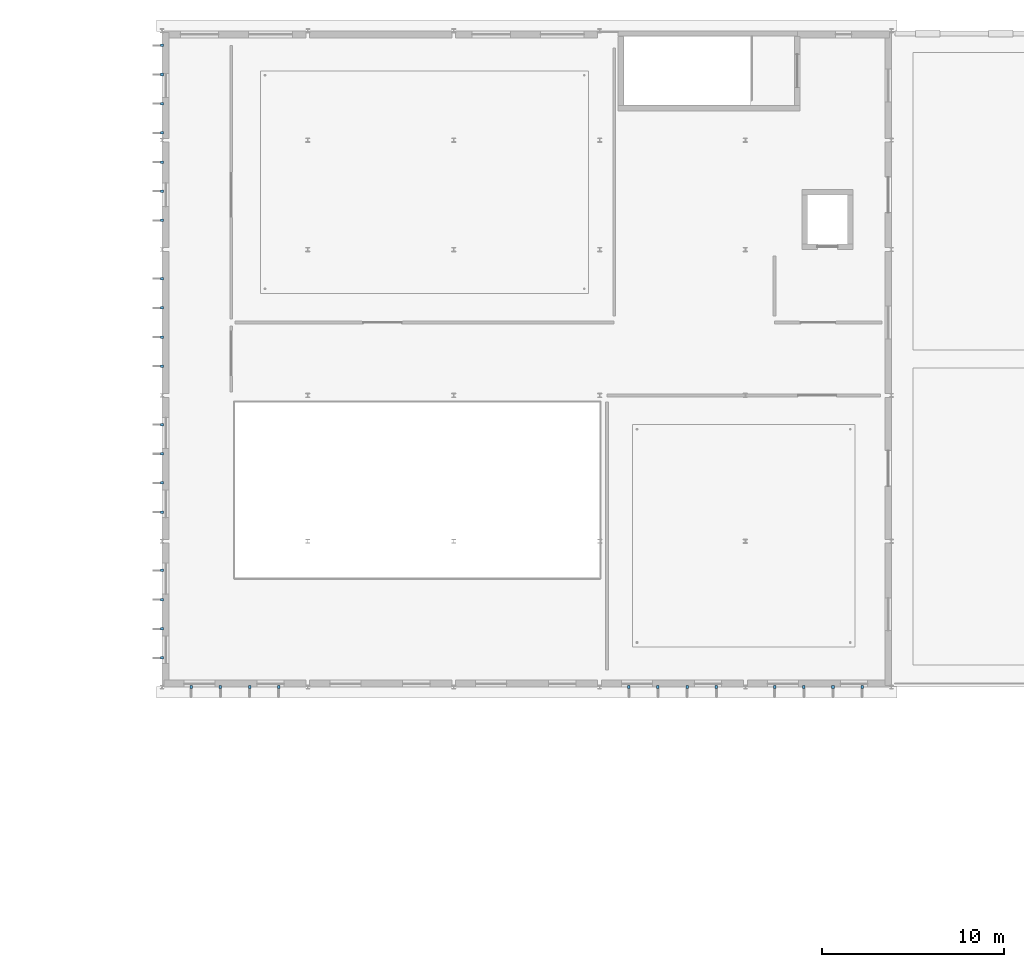
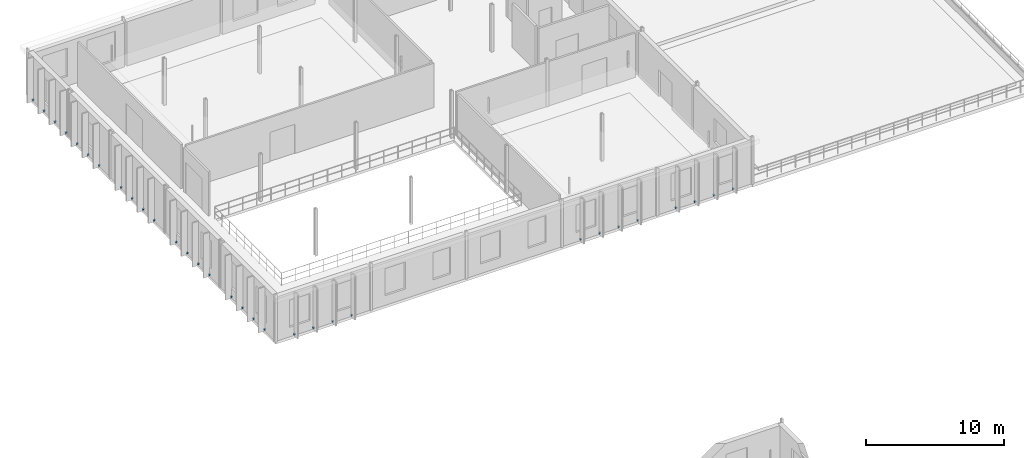
# One storey, part 56 of 67: 31 discrete accessories.
"""IFC4 building model written with IfcOpenShell, lengths in metres."""

from ifc_helpers import new_model, si_unit, direction, frame, origin, origin_2d, place, context, subcontext, project, spatial, rectangle, extrude, material, type_object, element, save


model = new_model("IFC4")

# Units and contexts
model_context = context("Model", 3, precision=1e-05, world=origin(), true_north=direction((0.0, 1.0)))
body_context = subcontext(model_context, "Body", "Model", "MODEL_VIEW")
ifc_project = project(units=[si_unit("LENGTHUNIT", "METRE"), si_unit("AREAUNIT", "SQUARE_METRE"), si_unit("VOLUMEUNIT", "CUBIC_METRE"), si_unit("PLANEANGLEUNIT", "RADIAN"), si_unit("MASSUNIT", "GRAM", prefix="KILO")], contexts=[model_context])

# Site, building, storey
site_placement = place(None, origin())
site = spatial("IfcSite", under=ifc_project, at=site_placement, CompositionType="ELEMENT")
building_placement = place(site_placement, origin())
building = spatial("IfcBuilding", under=site, at=building_placement, Name="Sundkrona Museum", CompositionType="ELEMENT")
storey_placement = place(building_placement, frame((0.0, 0.0, 21.800048828125)))
storey = spatial("IfcBuildingStorey", under=building, at=storey_placement, Name="L04", CompositionType="ELEMENT", Elevation=21.800048828125)

# Discrete accessories
ifc_material = material(Name="Stainless Steel EN 1.4404 Cleat", Category="steel")
discrete_accessory_type = type_object("IfcDiscreteAccessoryType", Name="BRK-FIN-01", PredefinedType="BRACKET", material=ifc_material)
for number, where, z_axis, x_axis, name in (
    (1, (17.60009765625, 78.0, 0.059814453125), (0.0, 0.0, 1.0), (1.0, 0.0, 0.0), "L04 Fin Bracket S-133"),
    (2, (19.199951171875, 78.0, 0.059814453125), (0.0, 0.0, 1.0), (1.0, 0.0, 0.0), "L04 Fin Bracket S-134"),
    (3, (20.800048828125, 78.0, 0.059814453125), (0.0, 0.0, 1.0), (1.0, 0.0, 0.0), "L04 Fin Bracket S-135"),
    (4, (22.39990234375, 78.0, 0.059814453125), (0.0, 0.0, 1.0), (1.0, 0.0, 0.0), "L04 Fin Bracket S-136"),
    (5, (41.60009765625, 78.0, 0.059814453125), (0.0, 0.0, 1.0), (1.0, 0.0, 0.0), "L04 Fin Bracket S-137"),
    (6, (43.199951171875, 78.0, 0.059814453125), (0.0, 0.0, 1.0), (1.0, 0.0, 0.0), "L04 Fin Bracket S-138"),
    (7, (44.800048828125, 78.0, 0.059814453125), (0.0, 0.0, 1.0), (1.0, 0.0, 0.0), "L04 Fin Bracket S-139"),
    (8, (46.39990234375, 78.0, 0.059814453125), (0.0, 0.0, 1.0), (1.0, 0.0, 0.0), "L04 Fin Bracket S-140"),
    (9, (49.60009765625, 78.0, 0.059814453125), (0.0, 0.0, 1.0), (1.0, 0.0, 0.0), "L04 Fin Bracket S-141"),
    (10, (51.199951171875, 78.0, 0.059814453125), (0.0, 0.0, 1.0), (1.0, 0.0, 0.0), "L04 Fin Bracket S-142"),
    (11, (52.800048828125, 78.0, 0.059814453125), (0.0, 0.0, 1.0), (1.0, 0.0, 0.0), "L04 Fin Bracket S-143"),
    (12, (54.39990234375, 78.0, 0.059814453125), (0.0, 0.0, 1.0), (1.0, 0.0, 0.0), "L04 Fin Bracket S-144"),
):
    element("IfcDiscreteAccessory", number, at=place(storey_placement, frame(where, z_axis=z_axis, x_axis=x_axis)), inside=storey, type_object=discrete_accessory_type, Name=name, PredefinedType="BRACKET", context=body_context, shape_type="SweptSolid", body=[
        extrude(rectangle(XDim=0.139892578125, YDim=0.159912109375, at=origin_2d()), origin(), (0.0, 0.0, 1.0), 0.1201171875),
    ])
for number, where, z_axis, x_axis, name in (
    (13, (16.0, 79.60009765625, 0.059814453125), (0.0, 0.0, 1.0), (1.0, 0.0, 0.0), "L04 Fin Bracket W-237"),
    (14, (16.0, 81.199951171875, 0.059814453125), (0.0, 0.0, 1.0), (1.0, 0.0, 0.0), "L04 Fin Bracket W-238"),
    (15, (16.0, 82.800048828125, 0.059814453125), (0.0, 0.0, 1.0), (1.0, 0.0, 0.0), "L04 Fin Bracket W-239"),
    (16, (16.0, 84.39990234375, 0.059814453125), (0.0, 0.0, 1.0), (1.0, 0.0, 0.0), "L04 Fin Bracket W-240"),
    (17, (16.0, 87.60009765625, 0.059814453125), (0.0, 0.0, 1.0), (1.0, 0.0, 0.0), "L04 Fin Bracket W-241"),
    (18, (16.0, 89.199951171875, 0.059814453125), (0.0, 0.0, 1.0), (1.0, 0.0, 0.0), "L04 Fin Bracket W-242"),
    (19, (16.0, 90.800048828125, 0.059814453125), (0.0, 0.0, 1.0), (1.0, 0.0, 0.0), "L04 Fin Bracket W-243"),
    (20, (16.0, 92.39990234375, 0.059814453125), (0.0, 0.0, 1.0), (1.0, 0.0, 0.0), "L04 Fin Bracket W-244"),
    (21, (16.0, 95.60009765625, 0.059814453125), (0.0, 0.0, 1.0), (1.0, 0.0, 0.0), "L04 Fin Bracket W-245"),
    (22, (16.0, 97.199951171875, 0.059814453125), (0.0, 0.0, 1.0), (1.0, 0.0, 0.0), "L04 Fin Bracket W-246"),
    (23, (16.0, 98.800048828125, 0.059814453125), (0.0, 0.0, 1.0), (1.0, 0.0, 0.0), "L04 Fin Bracket W-247"),
    (24, (16.0, 100.39990234375, 0.059814453125), (0.0, 0.0, 1.0), (1.0, 0.0, 0.0), "L04 Fin Bracket W-248"),
    (25, (16.0, 103.60009765625, 0.059814453125), (0.0, 0.0, 1.0), (1.0, 0.0, 0.0), "L04 Fin Bracket W-249"),
    (26, (16.0, 105.199951171875, 0.059814453125), (0.0, 0.0, 1.0), (1.0, 0.0, 0.0), "L04 Fin Bracket W-250"),
    (27, (16.0, 106.800048828125, 0.059814453125), (0.0, 0.0, 1.0), (1.0, 0.0, 0.0), "L04 Fin Bracket W-251"),
    (28, (16.0, 108.39990234375, 0.059814453125), (0.0, 0.0, 1.0), (1.0, 0.0, 0.0), "L04 Fin Bracket W-252"),
    (29, (16.0, 110.0, 0.059814453125), (0.0, 0.0, 1.0), (1.0, 0.0, 0.0), "L04 Fin Bracket W-253"),
    (30, (16.0, 111.60009765625, 0.059814453125), (0.0, 0.0, 1.0), (1.0, 0.0, 0.0), "L04 Fin Bracket W-254"),
    (31, (16.0, 113.199951171875, 0.059814453125), (0.0, 0.0, 1.0), (1.0, 0.0, 0.0), "L04 Fin Bracket W-255"),
):
    element("IfcDiscreteAccessory", number, at=place(storey_placement, frame(where, z_axis=z_axis, x_axis=x_axis)), inside=storey, type_object=discrete_accessory_type, Name=name, PredefinedType="BRACKET", context=body_context, shape_type="SweptSolid", body=[
        extrude(rectangle(XDim=0.159912109375, YDim=0.139892578125, at=origin_2d()), origin(), (0.0, 0.0, 1.0), 0.1201171875),
    ])

save(model, "model.ifc")
